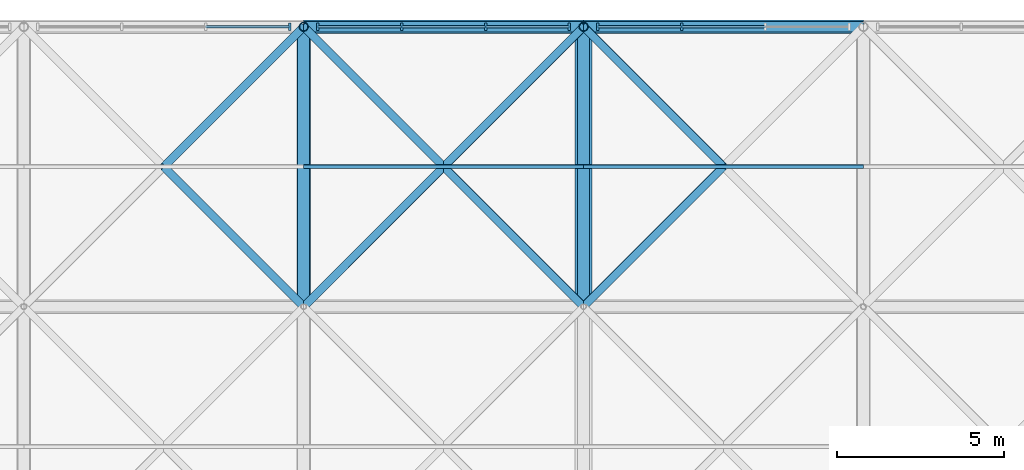
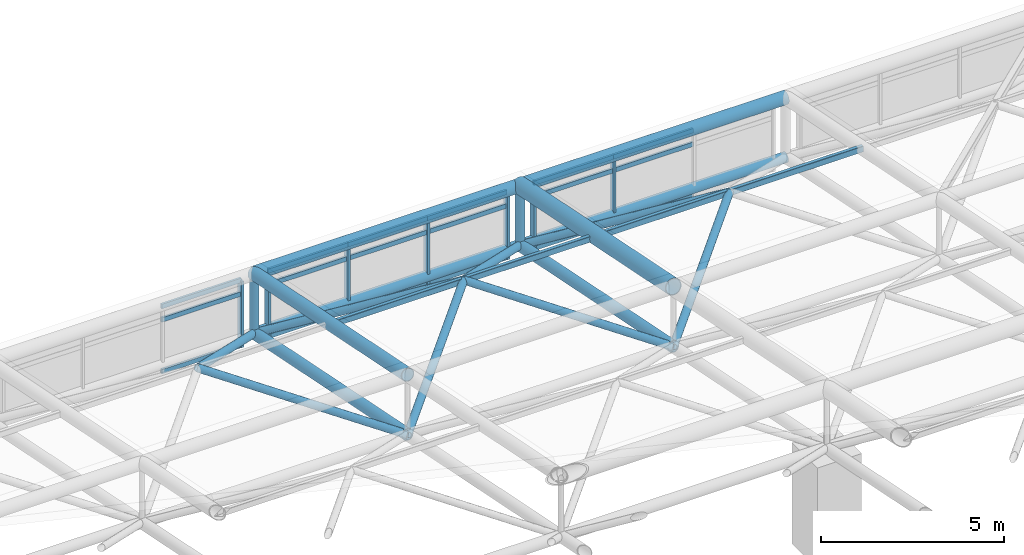
# One storey, part 54 of 81: 45 members, 3 elements without a shape of their own.
"""IFC4 building model written with IfcOpenShell, lengths in metres."""

from ifc_helpers import new_model, si_unit, direction, frame, origin, origin_2d, place, context, subcontext, project, spatial, rectangle, hollow_rectangle, hollow_circle, extrude, material, layer, layer_set, material_profile, profile_set, type_object, element, aggregate, save


model = new_model("IFC4")

# Units and contexts
model_context = context("Model", 3, precision=1e-05, world=origin(), true_north=direction((0.0, 1.0)))
body_context = subcontext(model_context, "Body", "Model", "MODEL_VIEW")
ifc_project = project(units=[si_unit("LENGTHUNIT", "METRE"), si_unit("AREAUNIT", "SQUARE_METRE"), si_unit("VOLUMEUNIT", "CUBIC_METRE"), si_unit("PLANEANGLEUNIT", "RADIAN"), si_unit("MASSUNIT", "GRAM", prefix="KILO")], contexts=[model_context])

# Site, building, storey
site_placement = place(None, origin())
site = spatial("IfcSite", under=ifc_project, at=site_placement, CompositionType="ELEMENT")
building_placement = place(site_placement, origin())
building = spatial("IfcBuilding", under=site, at=building_placement, Name="Qawsi Khor Wholesale Market", CompositionType="ELEMENT")
storey_placement = place(building_placement, frame((0.0, 0.0, 16.199951171875)))
storey = spatial("IfcBuildingStorey", under=building, at=storey_placement, Name="L03", CompositionType="ELEMENT", Elevation=16.199951171875)

# Curtain wall, member
ifc_material_1 = material(Name="Aluminium Anodised Bronze", Category="aluminium")
ifc_layer = layer(ifc_material_1, 0.199951171875, Name="Aluminium Anodised Bronze")
ifc_layer_set = layer_set([ifc_layer], Name="Aluminium Anodised Bronze")
curtain_wall_type = type_object("IfcCurtainWallType", Name="Trading Hall North-Light Curtain Wall CW-03", PredefinedType="NOTDEFINED", material=ifc_layer_set)
curtain_wall_1_placement = place(storey_placement, origin())
curtain_wall_1 = element("IfcCurtainWall", 1, at=curtain_wall_1_placement, inside=storey, type_object=curtain_wall_type, Name="Curtain wall CW-CW-03-L03-125", PredefinedType="NOTDEFINED")
ifc_material_profile_1 = material_profile(ifc_material_1, rectangle(XDim=0.074951171875, YDim=0.219970703125, at=origin_2d()), Name="ALU MULLION 75x220")
ifc_profile_set_1 = profile_set([ifc_material_profile_1], Name="Aluminium Anodised Bronze")
member_type_1 = type_object("IfcMemberType", Name="Curtain Wall Mullion CW-03 ALU MULLION 75x220", PredefinedType="MULLION", material=ifc_profile_set_1)
member_1_placement = place(storey_placement, frame((49.9775390625, 109.199951171875, -0.300048828125), z_axis=(0.0, 0.0, 1.0), x_axis=(1.0, 0.0, 0.0)))
member_1 = element("IfcMember", 2, at=member_1_placement, type_object=member_type_1, Name="Mullion CW-CW-03-L03-125-M03", PredefinedType="MULLION", context=body_context, shape_type="SweptSolid", body=[
    extrude(rectangle(XDim=0.074951171875, YDim=0.219970703125, at=origin_2d()), origin(), (0.0, 0.0, 1.0), 2.2001953125),
])

# Curtain wall, members
curtain_wall_2_placement = place(storey_placement, origin())
curtain_wall_2 = element("IfcCurtainWall", 3, at=curtain_wall_2_placement, inside=storey, type_object=curtain_wall_type, Name="Curtain wall CW-CW-03-L03-126", PredefinedType="NOTDEFINED")
member_2_placement = place(storey_placement, frame((50.822509765625, 109.199951171875, -0.300048828125), z_axis=(0.0, 0.0, 1.0), x_axis=(1.0, 0.0, 0.0)))
member_2 = element("IfcMember", 4, at=member_2_placement, type_object=member_type_1, Name="Mullion CW-CW-03-L03-126-M00", PredefinedType="MULLION", context=body_context, shape_type="SweptSolid", body=[
    extrude(rectangle(XDim=0.074951171875, YDim=0.219970703125, at=origin_2d()), origin(), (0.0, 0.0, 1.0), 2.2001953125),
])
member_3_placement = place(storey_placement, frame((53.3408203125, 109.199951171875, -0.300048828125), z_axis=(0.0, 0.0, 1.0), x_axis=(1.0, 0.0, 0.0)))
member_3 = element("IfcMember", 5, at=member_3_placement, type_object=member_type_1, Name="Mullion CW-CW-03-L03-126-M01", PredefinedType="MULLION", context=body_context, shape_type="SweptSolid", body=[
    extrude(rectangle(XDim=0.074951171875, YDim=0.219970703125, at=origin_2d()), origin(), (0.0, 0.0, 1.0), 2.2001953125),
])
member_4_placement = place(storey_placement, frame((55.859130859375, 109.199951171875, -0.300048828125), z_axis=(0.0, 0.0, 1.0), x_axis=(1.0, 0.0, 0.0)))
member_4 = element("IfcMember", 6, at=member_4_placement, type_object=member_type_1, Name="Mullion CW-CW-03-L03-126-M02", PredefinedType="MULLION", context=body_context, shape_type="SweptSolid", body=[
    extrude(rectangle(XDim=0.074951171875, YDim=0.219970703125, at=origin_2d()), origin(), (0.0, 0.0, 1.0), 2.2001953125),
])
member_5_placement = place(storey_placement, frame((58.37744140625, 109.199951171875, -0.300048828125), z_axis=(0.0, 0.0, 1.0), x_axis=(1.0, 0.0, 0.0)))
member_5 = element("IfcMember", 7, at=member_5_placement, type_object=member_type_1, Name="Mullion CW-CW-03-L03-126-M03", PredefinedType="MULLION", context=body_context, shape_type="SweptSolid", body=[
    extrude(rectangle(XDim=0.074951171875, YDim=0.219970703125, at=origin_2d()), origin(), (0.0, 0.0, 1.0), 2.2001953125),
])

curtain_wall_3_placement = place(storey_placement, origin())
curtain_wall_3 = element("IfcCurtainWall", 8, at=curtain_wall_3_placement, inside=storey, type_object=curtain_wall_type, Name="Curtain wall CW-CW-03-L03-127", PredefinedType="NOTDEFINED")
member_6_placement = place(storey_placement, frame((59.222412109375, 109.199951171875, -0.300048828125), z_axis=(0.0, 0.0, 1.0), x_axis=(1.0, 0.0, 0.0)))
member_6 = element("IfcMember", 9, at=member_6_placement, type_object=member_type_1, Name="Mullion CW-CW-03-L03-127-M00", PredefinedType="MULLION", context=body_context, shape_type="SweptSolid", body=[
    extrude(rectangle(XDim=0.074951171875, YDim=0.219970703125, at=origin_2d()), origin(), (0.0, 0.0, 1.0), 2.2001953125),
])
member_7_placement = place(storey_placement, frame((61.74072265625, 109.199951171875, -0.300048828125), z_axis=(0.0, 0.0, 1.0), x_axis=(1.0, 0.0, 0.0)))
member_7 = element("IfcMember", 10, at=member_7_placement, type_object=member_type_1, Name="Mullion CW-CW-03-L03-127-M01", PredefinedType="MULLION", context=body_context, shape_type="SweptSolid", body=[
    extrude(rectangle(XDim=0.074951171875, YDim=0.219970703125, at=origin_2d()), origin(), (0.0, 0.0, 1.0), 2.2001953125),
])

# Member
ifc_material_profile_2 = material_profile(ifc_material_1, rectangle(XDim=0.070068359375, YDim=0.14990234375, at=origin_2d()), Name="ALU TRANSOM 70x150")
ifc_profile_set_2 = profile_set([ifc_material_profile_2], Name="Aluminium Anodised Bronze")
member_type_2 = type_object("IfcMemberType", Name="Curtain Wall Transom CW-03 ALU TRANSOM 70x150", PredefinedType="USERDEFINED", material=ifc_profile_set_2)
member_8_placement = place(storey_placement, frame((47.459228515625, 109.199951171875, -0.280029296875), z_axis=(1.0, 0.0, 0.0), x_axis=(0.0, 1.0, 0.0)))
member_8 = element("IfcMember", 11, at=member_8_placement, type_object=member_type_2, Name="Transom CW-CW-03-L03-125-T0_02", ObjectType="TRANSOM", PredefinedType="USERDEFINED", context=body_context, shape_type="SweptSolid", body=[
    extrude(rectangle(XDim=0.070068359375, YDim=0.14990234375, at=origin_2d()), origin(), (0.0, 0.0, 1.0), 2.518310546875),
])

member_9_placement = place(storey_placement, frame((47.459228515625, 109.199951171875, 1.449951171875), z_axis=(1.0, 0.0, 0.0), x_axis=(0.0, 1.0, 0.0)))
member_9 = element("IfcMember", 12, at=member_9_placement, type_object=member_type_2, Name="Transom CW-CW-03-L03-125-T1_02", ObjectType="TRANSOM", PredefinedType="USERDEFINED", context=body_context, shape_type="SweptSolid", body=[
    extrude(rectangle(XDim=0.070068359375, YDim=0.14990234375, at=origin_2d()), origin(), (0.0, 0.0, 1.0), 2.518310546875),
])

member_10_placement = place(storey_placement, frame((47.459228515625, 109.199951171875, 1.900146484375), z_axis=(1.0, 0.0, 0.0), x_axis=(0.0, 1.0, 0.0)))
member_10 = element("IfcMember", 13, at=member_10_placement, type_object=member_type_2, Name="Transom CW-CW-03-L03-125-T2_02", ObjectType="TRANSOM", PredefinedType="USERDEFINED", context=body_context, shape_type="SweptSolid", body=[
    extrude(rectangle(XDim=0.070068359375, YDim=0.14990234375, at=origin_2d()), origin(), (0.0, 0.0, 1.0), 2.518310546875),
])

aggregate(curtain_wall_1, [member_1, member_8, member_9, member_10])

member_11_placement = place(storey_placement, frame((50.822509765625, 109.199951171875, -0.280029296875), z_axis=(1.0, 0.0, 0.0), x_axis=(0.0, 1.0, 0.0)))
member_11 = element("IfcMember", 14, at=member_11_placement, type_object=member_type_2, Name="Transom CW-CW-03-L03-126-T0_00", ObjectType="TRANSOM", PredefinedType="USERDEFINED", context=body_context, shape_type="SweptSolid", body=[
    extrude(rectangle(XDim=0.070068359375, YDim=0.14990234375, at=origin_2d()), origin(), (0.0, 0.0, 1.0), 2.518310546875),
])

member_12_placement = place(storey_placement, frame((53.3408203125, 109.199951171875, -0.280029296875), z_axis=(1.0, 0.0, 0.0), x_axis=(0.0, 1.0, 0.0)))
member_12 = element("IfcMember", 15, at=member_12_placement, type_object=member_type_2, Name="Transom CW-CW-03-L03-126-T0_01", ObjectType="TRANSOM", PredefinedType="USERDEFINED", context=body_context, shape_type="SweptSolid", body=[
    extrude(rectangle(XDim=0.070068359375, YDim=0.14990234375, at=origin_2d()), origin(), (0.0, 0.0, 1.0), 2.518310546875),
])

member_13_placement = place(storey_placement, frame((55.859130859375, 109.199951171875, -0.280029296875), z_axis=(1.0, 0.0, 0.0), x_axis=(0.0, 1.0, 0.0)))
member_13 = element("IfcMember", 16, at=member_13_placement, type_object=member_type_2, Name="Transom CW-CW-03-L03-126-T0_02", ObjectType="TRANSOM", PredefinedType="USERDEFINED", context=body_context, shape_type="SweptSolid", body=[
    extrude(rectangle(XDim=0.070068359375, YDim=0.14990234375, at=origin_2d()), origin(), (0.0, 0.0, 1.0), 2.518310546875),
])

member_14_placement = place(storey_placement, frame((50.822509765625, 109.199951171875, 1.449951171875), z_axis=(1.0, 0.0, 0.0), x_axis=(0.0, 1.0, 0.0)))
member_14 = element("IfcMember", 17, at=member_14_placement, type_object=member_type_2, Name="Transom CW-CW-03-L03-126-T1_00", ObjectType="TRANSOM", PredefinedType="USERDEFINED", context=body_context, shape_type="SweptSolid", body=[
    extrude(rectangle(XDim=0.070068359375, YDim=0.14990234375, at=origin_2d()), origin(), (0.0, 0.0, 1.0), 2.518310546875),
])

member_15_placement = place(storey_placement, frame((53.3408203125, 109.199951171875, 1.449951171875), z_axis=(1.0, 0.0, 0.0), x_axis=(0.0, 1.0, 0.0)))
member_15 = element("IfcMember", 18, at=member_15_placement, type_object=member_type_2, Name="Transom CW-CW-03-L03-126-T1_01", ObjectType="TRANSOM", PredefinedType="USERDEFINED", context=body_context, shape_type="SweptSolid", body=[
    extrude(rectangle(XDim=0.070068359375, YDim=0.14990234375, at=origin_2d()), origin(), (0.0, 0.0, 1.0), 2.518310546875),
])

member_16_placement = place(storey_placement, frame((55.859130859375, 109.199951171875, 1.449951171875), z_axis=(1.0, 0.0, 0.0), x_axis=(0.0, 1.0, 0.0)))
member_16 = element("IfcMember", 19, at=member_16_placement, type_object=member_type_2, Name="Transom CW-CW-03-L03-126-T1_02", ObjectType="TRANSOM", PredefinedType="USERDEFINED", context=body_context, shape_type="SweptSolid", body=[
    extrude(rectangle(XDim=0.070068359375, YDim=0.14990234375, at=origin_2d()), origin(), (0.0, 0.0, 1.0), 2.518310546875),
])

member_17_placement = place(storey_placement, frame((50.822509765625, 109.199951171875, 1.900146484375), z_axis=(1.0, 0.0, 0.0), x_axis=(0.0, 1.0, 0.0)))
member_17 = element("IfcMember", 20, at=member_17_placement, type_object=member_type_2, Name="Transom CW-CW-03-L03-126-T2_00", ObjectType="TRANSOM", PredefinedType="USERDEFINED", context=body_context, shape_type="SweptSolid", body=[
    extrude(rectangle(XDim=0.070068359375, YDim=0.14990234375, at=origin_2d()), origin(), (0.0, 0.0, 1.0), 2.518310546875),
])

member_18_placement = place(storey_placement, frame((53.3408203125, 109.199951171875, 1.900146484375), z_axis=(1.0, 0.0, 0.0), x_axis=(0.0, 1.0, 0.0)))
member_18 = element("IfcMember", 21, at=member_18_placement, type_object=member_type_2, Name="Transom CW-CW-03-L03-126-T2_01", ObjectType="TRANSOM", PredefinedType="USERDEFINED", context=body_context, shape_type="SweptSolid", body=[
    extrude(rectangle(XDim=0.070068359375, YDim=0.14990234375, at=origin_2d()), origin(), (0.0, 0.0, 1.0), 2.518310546875),
])

member_19_placement = place(storey_placement, frame((55.859130859375, 109.199951171875, 1.900146484375), z_axis=(1.0, 0.0, 0.0), x_axis=(0.0, 1.0, 0.0)))
member_19 = element("IfcMember", 22, at=member_19_placement, type_object=member_type_2, Name="Transom CW-CW-03-L03-126-T2_02", ObjectType="TRANSOM", PredefinedType="USERDEFINED", context=body_context, shape_type="SweptSolid", body=[
    extrude(rectangle(XDim=0.070068359375, YDim=0.14990234375, at=origin_2d()), origin(), (0.0, 0.0, 1.0), 2.518310546875),
])

aggregate(curtain_wall_2, [member_2, member_3, member_4, member_5, member_11, member_12, member_13, member_14, member_15, member_16, member_17, member_18, member_19])

member_20_placement = place(storey_placement, frame((59.222412109375, 109.199951171875, -0.280029296875), z_axis=(1.0, 0.0, 0.0), x_axis=(0.0, 1.0, 0.0)))
member_20 = element("IfcMember", 23, at=member_20_placement, type_object=member_type_2, Name="Transom CW-CW-03-L03-127-T0_00", ObjectType="TRANSOM", PredefinedType="USERDEFINED", context=body_context, shape_type="SweptSolid", body=[
    extrude(rectangle(XDim=0.070068359375, YDim=0.14990234375, at=origin_2d()), origin(), (0.0, 0.0, 1.0), 2.518310546875),
])

member_21_placement = place(storey_placement, frame((61.74072265625, 109.199951171875, -0.280029296875), z_axis=(1.0, 0.0, 0.0), x_axis=(0.0, 1.0, 0.0)))
member_21 = element("IfcMember", 24, at=member_21_placement, type_object=member_type_2, Name="Transom CW-CW-03-L03-127-T0_01", ObjectType="TRANSOM", PredefinedType="USERDEFINED", context=body_context, shape_type="SweptSolid", body=[
    extrude(rectangle(XDim=0.070068359375, YDim=0.14990234375, at=origin_2d()), origin(), (0.0, 0.0, 1.0), 2.5185546875),
])

member_22_placement = place(storey_placement, frame((59.222412109375, 109.199951171875, 1.449951171875), z_axis=(1.0, 0.0, 0.0), x_axis=(0.0, 1.0, 0.0)))
member_22 = element("IfcMember", 25, at=member_22_placement, type_object=member_type_2, Name="Transom CW-CW-03-L03-127-T1_00", ObjectType="TRANSOM", PredefinedType="USERDEFINED", context=body_context, shape_type="SweptSolid", body=[
    extrude(rectangle(XDim=0.070068359375, YDim=0.14990234375, at=origin_2d()), origin(), (0.0, 0.0, 1.0), 2.518310546875),
])

member_23_placement = place(storey_placement, frame((61.74072265625, 109.199951171875, 1.449951171875), z_axis=(1.0, 0.0, 0.0), x_axis=(0.0, 1.0, 0.0)))
member_23 = element("IfcMember", 26, at=member_23_placement, type_object=member_type_2, Name="Transom CW-CW-03-L03-127-T1_01", ObjectType="TRANSOM", PredefinedType="USERDEFINED", context=body_context, shape_type="SweptSolid", body=[
    extrude(rectangle(XDim=0.070068359375, YDim=0.14990234375, at=origin_2d()), origin(), (0.0, 0.0, 1.0), 2.5185546875),
])

member_24_placement = place(storey_placement, frame((59.222412109375, 109.199951171875, 1.900146484375), z_axis=(1.0, 0.0, 0.0), x_axis=(0.0, 1.0, 0.0)))
member_24 = element("IfcMember", 27, at=member_24_placement, type_object=member_type_2, Name="Transom CW-CW-03-L03-127-T2_00", ObjectType="TRANSOM", PredefinedType="USERDEFINED", context=body_context, shape_type="SweptSolid", body=[
    extrude(rectangle(XDim=0.070068359375, YDim=0.14990234375, at=origin_2d()), origin(), (0.0, 0.0, 1.0), 2.518310546875),
])

member_25_placement = place(storey_placement, frame((61.74072265625, 109.199951171875, 1.900146484375), z_axis=(1.0, 0.0, 0.0), x_axis=(0.0, 1.0, 0.0)))
member_25 = element("IfcMember", 28, at=member_25_placement, type_object=member_type_2, Name="Transom CW-CW-03-L03-127-T2_01", ObjectType="TRANSOM", PredefinedType="USERDEFINED", context=body_context, shape_type="SweptSolid", body=[
    extrude(rectangle(XDim=0.070068359375, YDim=0.14990234375, at=origin_2d()), origin(), (0.0, 0.0, 1.0), 2.5185546875),
])

aggregate(curtain_wall_3, [member_6, member_7, member_20, member_21, member_22, member_23, member_24, member_25])

# Members
ifc_material_2 = material(Name="Steel S355", Category="steel")
ifc_material_profile_3 = material_profile(ifc_material_2, hollow_circle(Radius=0.177734375, WallThickness=0.01611328125, at=origin_2d()), Name="CHS 355.6x16.0")
ifc_profile_set_3 = profile_set([ifc_material_profile_3], Name="Steel S355")
member_type_3 = type_object("IfcMemberType", Name="Space-Frame Bottom Chord CHS 355.6x16.0", PredefinedType="CHORD", material=ifc_profile_set_3)
for number, where, z_axis, x_axis, name in (
    (29, (50.39990234375, 100.800048828125, 1.670166015625), (0.0, 0.9801244518, -0.198383615716), (-1.0, 0.0, 0.0), "Space frame bottom chord Y WH (6,12)"),
    (30, (58.800048828125, 100.800048828125, 1.670166015625), (0.0, 0.9801244518, -0.198383615716), (-1.0, 0.0, 0.0), "Space frame bottom chord Y WH (7,12)"),
):
    element("IfcMember", number, at=place(storey_placement, frame(where, z_axis=z_axis, x_axis=x_axis)), inside=storey, type_object=member_type_3, Name=name, PredefinedType="CHORD", context=body_context, shape_type="SweptSolid", body=[
        extrude(hollow_circle(Radius=0.177734375, WallThickness=0.01611328125, at=origin_2d()), origin(), (0.0, 0.0, 1.0), 8.5703125),
    ])
ifc_material_profile_4 = material_profile(ifc_material_2, hollow_circle(Radius=0.136474609375, WallThickness=0.012451171875, at=origin_2d()), Name="CHS 273.0x12.5")
ifc_profile_set_4 = profile_set([ifc_material_profile_4], Name="Steel S355")
member_type_4 = type_object("IfcMemberType", Name="Space-Frame Edge Post CHS 273.0x12.5", PredefinedType="POST", material=ifc_profile_set_4)
for number, where, z_axis, x_axis, name in (
    (31, (50.39990234375, 109.199951171875, -0.030029296875), (0.0, 0.0, 1.0), (1.0, 0.0, 0.0), "Space frame post WH (6,13)"),
    (32, (58.800048828125, 109.199951171875, -0.030029296875), (0.0, 0.0, 1.0), (1.0, 0.0, 0.0), "Space frame post WH (7,13)"),
):
    element("IfcMember", number, at=place(storey_placement, frame(where, z_axis=z_axis, x_axis=x_axis)), inside=storey, type_object=member_type_4, Name=name, PredefinedType="POST", context=body_context, shape_type="SweptSolid", body=[
        extrude(hollow_circle(Radius=0.136474609375, WallThickness=0.012451171875, at=origin_2d()), origin(), (0.0, 0.0, 1.0), 2.0),
    ])
ifc_material_profile_5 = material_profile(ifc_material_2, hollow_circle(Radius=0.122314453125, WallThickness=0.012451171875, at=origin_2d()), Name="CHS 244.5x12.5")
ifc_profile_set_5 = profile_set([ifc_material_profile_5], Name="Steel S355")
member_type_5 = type_object("IfcMemberType", Name="Space-Frame Heavy Diagonal CHS 244.5x12.5", PredefinedType="POST", material=ifc_profile_set_5)
member_26_placement = place(storey_placement, frame((50.39990234375, 100.800048828125, 1.670166015625), z_axis=(-0.694216714393, 0.694216714393, 0.190069216113), x_axis=(-0.707106781187, -0.707106781187, 0.0)))
element("IfcMember", 33, at=member_26_placement, inside=storey, type_object=member_type_5, Name="Space frame diagonal WH (5,12)-2", PredefinedType="POST", context=body_context, shape_type="SweptSolid", body=[
    extrude(hollow_circle(Radius=0.122314453125, WallThickness=0.012451171875, at=origin_2d()), origin(), (0.0, 0.0, 1.0), 6.0498046875),
])
member_27_placement = place(storey_placement, frame((50.39990234375, 109.199951171875, -0.030029296875), z_axis=(-0.637511741089, -0.637511741089, 0.432617105474), x_axis=(0.707106781187, -0.707106781187, 0.0)))
element("IfcMember", 34, at=member_27_placement, inside=storey, type_object=member_type_5, Name="Space frame diagonal WH (5,12)-3", PredefinedType="POST", context=body_context, shape_type="SweptSolid", body=[
    extrude(hollow_circle(Radius=0.122314453125, WallThickness=0.012451171875, at=origin_2d()), origin(), (0.0, 0.0, 1.0), 6.588134765625),
])
member_28_placement = place(storey_placement, frame((50.39990234375, 100.800048828125, 1.670166015625), z_axis=(0.694237619642, 0.694197266374, 0.19006389145), x_axis=(-0.70708622964, 0.707127332136, 0.0)))
element("IfcMember", 35, at=member_28_placement, inside=storey, type_object=member_type_5, Name="Space frame diagonal WH (6,12)-1", PredefinedType="POST", context=body_context, shape_type="SweptSolid", body=[
    extrude(hollow_circle(Radius=0.122314453125, WallThickness=0.012451171875, at=origin_2d()), origin(), (0.0, 0.0, 1.0), 6.050048828125),
])
member_29_placement = place(storey_placement, frame((58.800048828125, 100.800048828125, 1.670166015625), z_axis=(-0.694216714393, 0.694216714393, 0.190069216113), x_axis=(-0.707106781187, -0.707106781187, 0.0)))
element("IfcMember", 36, at=member_29_placement, inside=storey, type_object=member_type_5, Name="Space frame diagonal WH (6,12)-2", PredefinedType="POST", context=body_context, shape_type="SweptSolid", body=[
    extrude(hollow_circle(Radius=0.122314453125, WallThickness=0.012451171875, at=origin_2d()), origin(), (0.0, 0.0, 1.0), 6.0498046875),
])
for number, where, z_axis, x_axis, name in (
    (37, (58.800048828125, 109.199951171875, -0.030029296875), (-0.637511741089, -0.637511741089, 0.432617105474), (0.707106781187, -0.707106781187, 0.0), "Space frame diagonal WH (6,12)-3"),
    (38, (50.39990234375, 109.199951171875, -0.030029296875), (0.637533737254, -0.637496679957, 0.432606884951), (0.70708622964, 0.707127332136, 0.0), "Space frame diagonal WH (6,12)-4"),
):
    element("IfcMember", number, at=place(storey_placement, frame(where, z_axis=z_axis, x_axis=x_axis)), inside=storey, type_object=member_type_5, Name=name, PredefinedType="POST", context=body_context, shape_type="SweptSolid", body=[
        extrude(hollow_circle(Radius=0.122314453125, WallThickness=0.012451171875, at=origin_2d()), origin(), (0.0, 0.0, 1.0), 6.588134765625),
    ])
member_30_placement = place(storey_placement, frame((58.800048828125, 100.800048828125, 1.670166015625), z_axis=(0.694216714393, 0.694216714393, 0.190069216113), x_axis=(-0.707106781187, 0.707106781187, 0.0)))
element("IfcMember", 39, at=member_30_placement, inside=storey, type_object=member_type_5, Name="Space frame diagonal WH (7,12)-1", PredefinedType="POST", context=body_context, shape_type="SweptSolid", body=[
    extrude(hollow_circle(Radius=0.122314453125, WallThickness=0.012451171875, at=origin_2d()), origin(), (0.0, 0.0, 1.0), 6.0498046875),
])
member_31_placement = place(storey_placement, frame((58.800048828125, 109.199951171875, -0.030029296875), z_axis=(0.637511741089, -0.637511741089, 0.432617105474), x_axis=(0.707106781187, 0.707106781187, 0.0)))
element("IfcMember", 40, at=member_31_placement, inside=storey, type_object=member_type_5, Name="Space frame diagonal WH (7,12)-4", PredefinedType="POST", context=body_context, shape_type="SweptSolid", body=[
    extrude(hollow_circle(Radius=0.122314453125, WallThickness=0.012451171875, at=origin_2d()), origin(), (0.0, 0.0, 1.0), 6.588134765625),
])
ifc_material_profile_6 = material_profile(ifc_material_2, hollow_rectangle(XDim=0.1201171875, YDim=0.199951171875, WallThickness=0.008056640625, InnerFilletRadius=0.008056640625, OuterFilletRadius=0.01611328125, at=origin_2d()), Name="RHS 200x120x8.0")
ifc_profile_set_6 = profile_set([ifc_material_profile_6], Name="Steel S355")
member_type_6 = type_object("IfcMemberType", Name="Space-Frame Heavy Purlin RHS 200x120x8.0", PredefinedType="PURLIN", material=ifc_profile_set_6)
member_32_placement = place(storey_placement, frame((50.39990234375, 105.0, 2.820068359375), z_axis=(1.0, 0.0, 0.0), x_axis=(0.0, 1.0, 0.0)))
element("IfcMember", 41, at=member_32_placement, inside=storey, type_object=member_type_6, Name="Space frame purlin WH (6,12)", PredefinedType="PURLIN", context=body_context, shape_type="SweptSolid", body=[
    extrude(hollow_rectangle(XDim=0.1201171875, YDim=0.199951171875, WallThickness=0.008056640625, InnerFilletRadius=0.008056640625, OuterFilletRadius=0.01611328125, at=origin_2d()), origin(), (0.0, 0.0, 1.0), 8.400146484375),
])
member_33_placement = place(storey_placement, frame((58.800048828125, 105.0, 2.820068359375), z_axis=(1.0, 0.0, 0.0), x_axis=(0.0, 1.0, 0.0)))
element("IfcMember", 42, at=member_33_placement, inside=storey, type_object=member_type_6, Name="Space frame purlin WH (7,12)", PredefinedType="PURLIN", context=body_context, shape_type="SweptSolid", body=[
    extrude(hollow_rectangle(XDim=0.1201171875, YDim=0.199951171875, WallThickness=0.008056640625, InnerFilletRadius=0.008056640625, OuterFilletRadius=0.01611328125, at=origin_2d()), origin(), (0.0, 0.0, 1.0), 8.39990234375),
])
ifc_material_profile_7 = material_profile(ifc_material_2, hollow_circle(Radius=0.25390625, WallThickness=0.02490234375, at=origin_2d()), Name="CHS 508.0x25.0")
ifc_profile_set_7 = profile_set([ifc_material_profile_7], Name="Steel S355")
member_type_7 = type_object("IfcMemberType", Name="Space-Frame Main Chord CHS 508.0x25.0", PredefinedType="CHORD", material=ifc_profile_set_7)
member_34_placement = place(storey_placement, frame((58.800048828125, 100.800048828125, 3.670166015625), z_axis=(0.0, 0.9801244518, -0.198383615716), x_axis=(-1.0, 0.0, 0.0)))
element("IfcMember", 43, at=member_34_placement, inside=storey, type_object=member_type_7, Name="Space frame top chord Y WH (7,12)", PredefinedType="CHORD", context=body_context, shape_type="SweptSolid", body=[
    extrude(hollow_circle(Radius=0.25390625, WallThickness=0.02490234375, at=origin_2d()), origin(), (0.0, 0.0, 1.0), 8.5703125),
])
ifc_material_profile_8 = material_profile(ifc_material_2, hollow_circle(Radius=0.161865234375, WallThickness=0.01611328125, at=origin_2d()), Name="CHS 323.9x16.0")
ifc_profile_set_8 = profile_set([ifc_material_profile_8], Name="Steel S355")
member_type_8 = type_object("IfcMemberType", Name="Space-Frame Secondary Chord CHS 323.9x16.0", PredefinedType="CHORD", material=ifc_profile_set_8)
member_35_placement = place(storey_placement, frame((50.39990234375, 109.199951171875, -0.030029296875), z_axis=(1.0, 0.0, 0.0), x_axis=(0.0, 1.0, 0.0)))
element("IfcMember", 44, at=member_35_placement, inside=storey, type_object=member_type_8, Name="Space frame bottom chord X WH (6,13)", PredefinedType="CHORD", context=body_context, shape_type="SweptSolid", body=[
    extrude(hollow_circle(Radius=0.161865234375, WallThickness=0.01611328125, at=origin_2d()), origin(), (0.0, 0.0, 1.0), 8.400146484375),
])
member_36_placement = place(storey_placement, frame((58.800048828125, 109.199951171875, -0.030029296875), z_axis=(1.0, 0.0, 0.0), x_axis=(0.0, 1.0, 0.0)))
element("IfcMember", 45, at=member_36_placement, inside=storey, type_object=member_type_8, Name="Space frame bottom chord X WH (7,13)", PredefinedType="CHORD", context=body_context, shape_type="SweptSolid", body=[
    extrude(hollow_circle(Radius=0.161865234375, WallThickness=0.01611328125, at=origin_2d()), origin(), (0.0, 0.0, 1.0), 8.39990234375),
])
ifc_material_profile_9 = material_profile(ifc_material_2, hollow_circle(Radius=0.203125, WallThickness=0.02001953125, at=origin_2d()), Name="CHS 406.4x20.0")
ifc_profile_set_9 = profile_set([ifc_material_profile_9], Name="Steel S355")
member_type_9 = type_object("IfcMemberType", Name="Space-Frame Top Chord CHS 406.4x20.0", PredefinedType="CHORD", material=ifc_profile_set_9)
member_37_placement = place(storey_placement, frame((50.39990234375, 100.800048828125, 3.670166015625), z_axis=(0.0, 0.9801244518, -0.198383615716), x_axis=(-1.0, 0.0, 0.0)))
element("IfcMember", 46, at=member_37_placement, inside=storey, type_object=member_type_9, Name="Space frame top chord Y WH (6,12)", PredefinedType="CHORD", context=body_context, shape_type="SweptSolid", body=[
    extrude(hollow_circle(Radius=0.203125, WallThickness=0.02001953125, at=origin_2d()), origin(), (0.0, 0.0, 1.0), 8.5703125),
])
member_38_placement = place(storey_placement, frame((50.39990234375, 109.199951171875, 1.969970703125), z_axis=(1.0, 0.0, 0.0), x_axis=(0.0, 1.0, 0.0)))
element("IfcMember", 47, at=member_38_placement, inside=storey, type_object=member_type_9, Name="Space frame top chord X WH (6,13)", PredefinedType="CHORD", context=body_context, shape_type="SweptSolid", body=[
    extrude(hollow_circle(Radius=0.203125, WallThickness=0.02001953125, at=origin_2d()), origin(), (0.0, 0.0, 1.0), 8.400146484375),
])
member_39_placement = place(storey_placement, frame((58.800048828125, 109.199951171875, 1.969970703125), z_axis=(1.0, 0.0, 0.0), x_axis=(0.0, 1.0, 0.0)))
element("IfcMember", 48, at=member_39_placement, inside=storey, type_object=member_type_9, Name="Space frame top chord X WH (7,13)", PredefinedType="CHORD", context=body_context, shape_type="SweptSolid", body=[
    extrude(hollow_circle(Radius=0.203125, WallThickness=0.02001953125, at=origin_2d()), origin(), (0.0, 0.0, 1.0), 8.39990234375),
])

save(model, "model.ifc")
